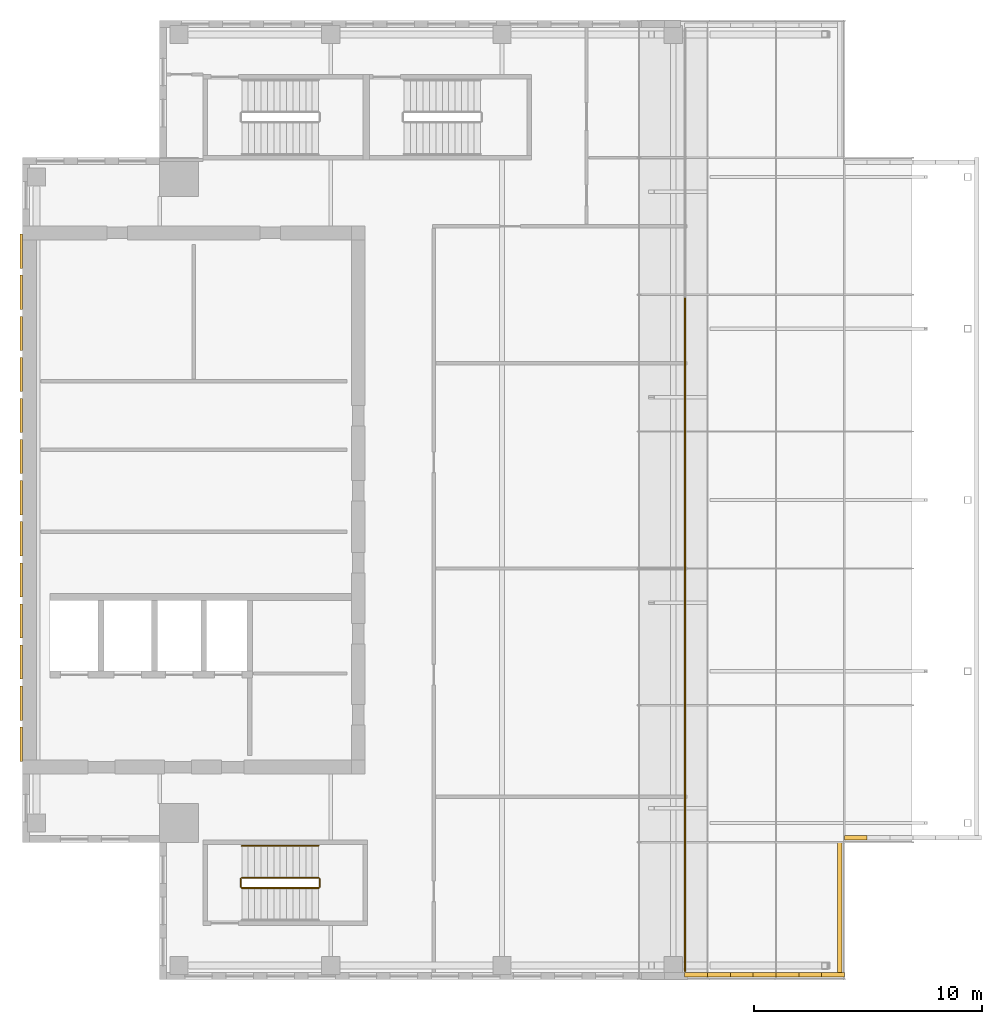
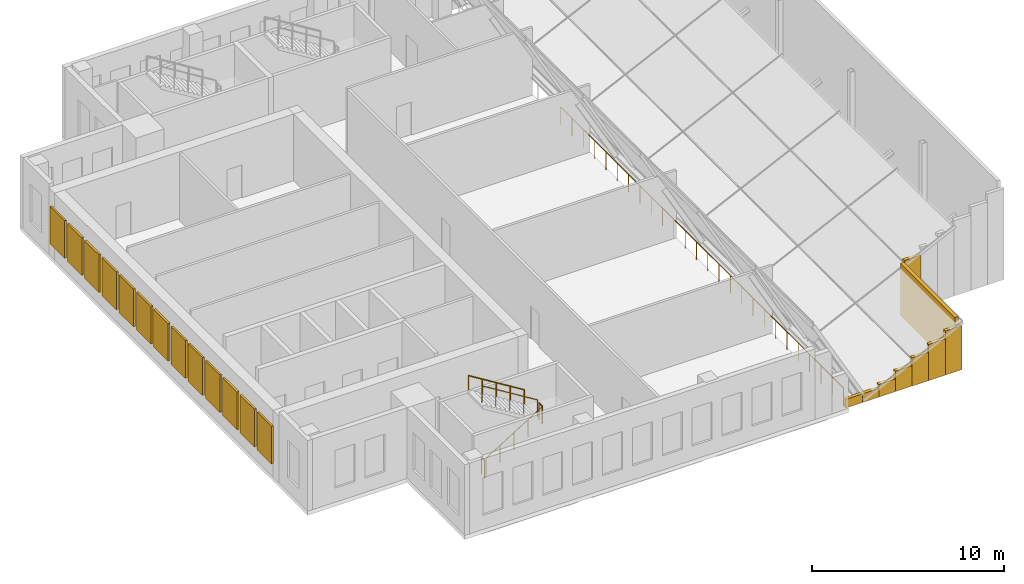
# One storey, part 10 of 11: 22 coverings, 10 railings.
"""IFC4 building model written with IfcOpenShell, lengths in metres."""

from ifc_helpers import new_model, si_unit, direction, frame, origin, origin_2d, place, context, subcontext, project, spatial, polyline, rectangle, circle, outline, extrude, source, transform, mapped, material, layer, layer_set, type_object, element, save


model = new_model("IFC4")

# Units and contexts
model_context = context("Model", 3, precision=1e-05, world=origin(), true_north=direction((0.0, 1.0)))
body_context = subcontext(model_context, "Body", "Model", "MODEL_VIEW")
ifc_project = project(units=[si_unit("LENGTHUNIT", "METRE"), si_unit("AREAUNIT", "SQUARE_METRE"), si_unit("VOLUMEUNIT", "CUBIC_METRE"), si_unit("PLANEANGLEUNIT", "RADIAN"), si_unit("MASSUNIT", "GRAM", prefix="KILO")], contexts=[model_context])

# Site, building, storey
site_placement = place(None, origin())
site = spatial("IfcSite", under=ifc_project, at=site_placement, CompositionType="ELEMENT")
building_placement = place(site_placement, origin())
building = spatial("IfcBuilding", under=site, at=building_placement, Name="Khomas Fold Tower", CompositionType="ELEMENT")
storey_placement = place(building_placement, frame((0.0, 0.0, 334.699951171875)))
storey = spatial("IfcBuildingStorey", under=building, at=storey_placement, Name="C2", CompositionType="ELEMENT", Elevation=334.699951171875)

# Coverings
ifc_material_1 = material(Name="Natural stone cladding", Category="masonry")
ifc_layer_1 = layer(ifc_material_1, 0.031982421875)
ifc_layer_set_1 = layer_set([ifc_layer_1], Name="Natural stone cladding")
covering_type_1 = type_object("IfcCoveringType", Name="Crown spandrel panel CR-SP", PredefinedType="CLADDING", material=ifc_layer_set_1)
for number, where, z_axis, x_axis, name in (
    (1, (35.0, 6.10009765625, 0.0), (0.0, -1.0, 0.0), (1.0, 0.0, 0.0), "Crown eave fascia"),
    (2, (36.0, 6.10009765625, 0.0), (0.0, -1.0, 0.0), (1.0, 0.0, 0.0), "Crown eave fascia"),
):
    element("IfcCovering", number, at=place(storey_placement, frame(where, z_axis=z_axis, x_axis=x_axis)), inside=storey, type_object=covering_type_1, Name=name, PredefinedType="CLADDING", context=body_context, shape_type="SweptSolid", body=[
        extrude(outline(polyline([(0.0, 0.0), (1.0, 0.0), (1.0, 0.550048828125), (0.0, 0.550048828125), (0.0, 0.0)])), origin(), (0.0, 0.0, -1.0), 0.199951171875),
    ])
covering_1_placement = place(storey_placement, frame((37.0, 6.10009765625, 0.0), z_axis=(0.0, -1.0, 0.0), x_axis=(1.0, 0.0, 0.0)))
element("IfcCovering", 3, at=covering_1_placement, inside=storey, type_object=covering_type_1, Name="Crown eave fascia", PredefinedType="CLADDING", context=body_context, shape_type="SweptSolid", body=[
    extrude(outline(polyline([(0.0, 0.0), (1.0, 0.0), (1.0, 0.800048828125), (0.0, 0.800048828125), (0.0, 0.0)])), origin(), (0.0, 0.0, -1.0), 0.199951171875),
])
covering_2_placement = place(storey_placement, frame((38.0, 6.10009765625, 0.0), z_axis=(0.0, -1.0, 0.0), x_axis=(1.0, 0.0, 0.0)))
element("IfcCovering", 4, at=covering_2_placement, inside=storey, type_object=covering_type_1, Name="Crown eave fascia", PredefinedType="CLADDING", context=body_context, shape_type="SweptSolid", body=[
    extrude(outline(polyline([(0.0, 0.0), (1.0, 0.0), (1.0, 1.300048828125), (0.0, 1.300048828125), (0.0, 0.0)])), origin(), (0.0, 0.0, -1.0), 0.199951171875),
])
covering_3_placement = place(storey_placement, frame((39.0, 6.10009765625, 0.0), z_axis=(0.0, -1.0, 0.0), x_axis=(1.0, 0.0, 0.0)))
element("IfcCovering", 5, at=covering_3_placement, inside=storey, type_object=covering_type_1, Name="Crown eave fascia", PredefinedType="CLADDING", context=body_context, shape_type="SweptSolid", body=[
    extrude(outline(polyline([(0.0, 0.0), (1.0, 0.0), (1.0, 1.800048828125), (0.0, 1.800048828125), (0.0, 0.0)])), origin(), (0.0, 0.0, -1.0), 0.199951171875),
])
covering_4_placement = place(storey_placement, frame((40.0, 6.10009765625, 0.0), z_axis=(0.0, -1.0, 0.0), x_axis=(1.0, 0.0, 0.0)))
element("IfcCovering", 6, at=covering_4_placement, inside=storey, type_object=covering_type_1, Name="Crown eave fascia", PredefinedType="CLADDING", context=body_context, shape_type="SweptSolid", body=[
    extrude(outline(polyline([(0.0, 0.0), (1.0, 0.0), (1.0, 2.300048828125), (0.0, 2.300048828125), (0.0, 0.0)])), origin(), (0.0, 0.0, -1.0), 0.199951171875),
])
covering_5_placement = place(storey_placement, frame((41.0, 6.10009765625, 0.0), z_axis=(0.0, -1.0, 0.0), x_axis=(1.0, 0.0, 0.0)))
element("IfcCovering", 7, at=covering_5_placement, inside=storey, type_object=covering_type_1, Name="Crown eave fascia", PredefinedType="CLADDING", context=body_context, shape_type="SweptSolid", body=[
    extrude(outline(polyline([(0.0, 0.0), (1.0, 0.0), (1.0, 2.800048828125), (0.0, 2.800048828125), (0.0, 0.0)])), origin(), (0.0, 0.0, -1.0), 0.199951171875),
])
covering_6_placement = place(storey_placement, frame((41.89990234375, 6.300048828125, 0.0), z_axis=(1.0, 0.0, 0.0), x_axis=(0.0, 1.0, 0.0)))
element("IfcCovering", 8, at=covering_6_placement, inside=storey, type_object=covering_type_1, Name="Crown eave fascia", PredefinedType="CLADDING", context=body_context, shape_type="SweptSolid", body=[
    extrude(outline(polyline([(0.0, 0.0), (5.699951171875, 0.0), (5.699951171875, 3.300048828125), (0.0, 3.300048828125), (0.0, 0.0)])), origin(), (0.0, 0.0, -1.0), 0.199951171875),
])
covering_7_placement = place(storey_placement, frame((42.0, 12.10009765625, 0.0), z_axis=(0.0, -1.0, 0.0), x_axis=(1.0, 0.0, 0.0)))
element("IfcCovering", 9, at=covering_7_placement, inside=storey, type_object=covering_type_1, Name="Crown eave fascia", PredefinedType="CLADDING", context=body_context, shape_type="SweptSolid", body=[
    extrude(outline(polyline([(0.0, 0.0), (1.0, 0.0), (1.0, 3.300048828125), (0.0, 3.300048828125), (0.0, 0.0)])), origin(), (0.0, 0.0, -1.0), 0.199951171875),
])
ifc_material_2 = material(Name="Aluminium louvre", Category="aluminium")
ifc_layer_2 = layer(ifc_material_2, 0.1201171875)
ifc_layer_set_2 = layer_set([ifc_layer_2], Name="Aluminium louvre")
covering_type_2 = type_object("IfcCoveringType", Name="Crown louvre screen CR-LS", PredefinedType="CLADDING", material=ifc_layer_set_2)
shared_shape_1 = source(origin(), body_context, "Body", "SweptSolid", [
    extrude(rectangle(XDim=1.5, YDim=0.1201171875, at=origin_2d()), origin(), (0.0, 0.0, 1.0), 2.39990234375),
])
for number, where, z_axis, x_axis, name in (
    (10, (5.93994140625, 37.900146484375, 0.900146484375), (0.0, 0.0, 1.0), (0.0, -1.0, 0.0), "Crown louvre screen"),
    (11, (5.93994140625, 36.10009765625, 0.900146484375), (0.0, 0.0, 1.0), (0.0, -1.0, 0.0), "Crown louvre screen"),
    (12, (5.93994140625, 34.300048828125, 0.900146484375), (0.0, 0.0, 1.0), (0.0, -1.0, 0.0), "Crown louvre screen"),
    (13, (5.93994140625, 32.5, 0.900146484375), (0.0, 0.0, 1.0), (0.0, -1.0, 0.0), "Crown louvre screen"),
    (14, (5.93994140625, 30.7001953125, 0.900146484375), (0.0, 0.0, 1.0), (0.0, -1.0, 0.0), "Crown louvre screen"),
    (15, (5.93994140625, 28.900146484375, 0.900146484375), (0.0, 0.0, 1.0), (0.0, -1.0, 0.0), "Crown louvre screen"),
    (16, (5.93994140625, 27.10009765625, 0.900146484375), (0.0, 0.0, 1.0), (0.0, -1.0, 0.0), "Crown louvre screen"),
    (17, (5.93994140625, 25.300048828125, 0.900146484375), (0.0, 0.0, 1.0), (0.0, -1.0, 0.0), "Crown louvre screen"),
    (18, (5.93994140625, 23.5, 0.900146484375), (0.0, 0.0, 1.0), (0.0, -1.0, 0.0), "Crown louvre screen"),
    (19, (5.93994140625, 21.7001953125, 0.900146484375), (0.0, 0.0, 1.0), (0.0, -1.0, 0.0), "Crown louvre screen"),
    (20, (5.93994140625, 19.900146484375, 0.900146484375), (0.0, 0.0, 1.0), (0.0, -1.0, 0.0), "Crown louvre screen"),
    (21, (5.93994140625, 18.10009765625, 0.900146484375), (0.0, 0.0, 1.0), (0.0, -1.0, 0.0), "Crown louvre screen"),
    (22, (5.93994140625, 16.300048828125, 0.900146484375), (0.0, 0.0, 1.0), (0.0, -1.0, 0.0), "Crown louvre screen"),
):
    element("IfcCovering", number, at=place(storey_placement, frame(where, z_axis=z_axis, x_axis=x_axis)), inside=storey, type_object=covering_type_2, Name=name, PredefinedType="CLADDING", context=body_context, shape_type="MappedRepresentation", body=[
        mapped(shared_shape_1, transform((0.0, 0.0, 0.0))),
    ])

# Railings
ifc_material_3 = material(Name="Powder-coated steel", Category="steel")
railing_type_1 = type_object("IfcRailingType", Name="Balcony guard", PredefinedType="GUARDRAIL", material=ifc_material_3)
shared_shape_2 = source(origin(), body_context, "Body", "SweptSolid", [
    extrude(circle(Radius=0.02490234375, at=origin_2d()), frame((0.0, 0.0, 1.125), z_axis=(0.0, 1.0, 0.0), x_axis=(-1.0, 0.0, 0.0)), (0.0, 0.0, 1.0), 5.89990234375),
    extrude(circle(Radius=0.02001953125, at=origin_2d()), origin(), (0.0, 0.0, 1.0), 1.099853515625),
    extrude(circle(Radius=0.02001953125, at=origin_2d()), frame((0.0, 1.179931640625, 0.0)), (0.0, 0.0, 1.0), 1.099853515625),
    extrude(circle(Radius=0.02001953125, at=origin_2d()), frame((0.0, 2.35986328125, 0.0)), (0.0, 0.0, 1.0), 1.099853515625),
    extrude(circle(Radius=0.02001953125, at=origin_2d()), frame((0.0, 3.5400390625, 0.0)), (0.0, 0.0, 1.0), 1.099853515625),
    extrude(circle(Radius=0.02001953125, at=origin_2d()), frame((0.0, 4.719970703125, 0.0)), (0.0, 0.0, 1.0), 1.099853515625),
    extrude(circle(Radius=0.02001953125, at=origin_2d()), frame((0.0, 5.89990234375, 0.0)), (0.0, 0.0, 1.0), 1.099853515625),
])
for number, where, name in (
    (23, (35.01513671875, 6.35009765625, 0.0), "GUARD 231"),
    (24, (35.01513671875, 12.25, 0.0), "GUARD 231"),
    (25, (35.01513671875, 24.050048828125, 0.0), "GUARD 231"),
):
    element("IfcRailing", number, at=place(storey_placement, frame(where)), inside=storey, type_object=railing_type_1, Name=name, PredefinedType="GUARDRAIL", context=body_context, shape_type="MappedRepresentation", body=[
        mapped(shared_shape_2, transform((0.0, 0.0, 0.0))),
    ])
shared_shape_3 = source(origin(), body_context, "Body", "SweptSolid", [
    extrude(circle(Radius=0.02490234375, at=origin_2d()), frame((0.0, 0.0, 1.125), z_axis=(0.0, 1.0, 0.0), x_axis=(-1.0, 0.0, 0.0)), (0.0, 0.0, 1.0), 5.900146484375),
    extrude(circle(Radius=0.02001953125, at=origin_2d()), origin(), (0.0, 0.0, 1.0), 1.099853515625),
    extrude(circle(Radius=0.02001953125, at=origin_2d()), frame((0.0, 1.179931640625, 0.0)), (0.0, 0.0, 1.0), 1.099853515625),
    extrude(circle(Radius=0.02001953125, at=origin_2d()), frame((0.0, 2.360107421875, 0.0)), (0.0, 0.0, 1.0), 1.099853515625),
    extrude(circle(Radius=0.02001953125, at=origin_2d()), frame((0.0, 3.5400390625, 0.0)), (0.0, 0.0, 1.0), 1.099853515625),
    extrude(circle(Radius=0.02001953125, at=origin_2d()), frame((0.0, 4.72021484375, 0.0)), (0.0, 0.0, 1.0), 1.099853515625),
    extrude(circle(Radius=0.02001953125, at=origin_2d()), frame((0.0, 5.900146484375, 0.0)), (0.0, 0.0, 1.0), 1.099853515625),
])
for number, where, name in (
    (26, (35.01513671875, 18.14990234375, 0.0), "GUARD 231"),
    (27, (35.01513671875, 29.949951171875, 0.0), "GUARD 231"),
):
    element("IfcRailing", number, at=place(storey_placement, frame(where)), inside=storey, type_object=railing_type_1, Name=name, PredefinedType="GUARDRAIL", context=body_context, shape_type="MappedRepresentation", body=[
        mapped(shared_shape_3, transform((0.0, 0.0, 0.0))),
    ])
ifc_material_4 = material(Name="Steel balustrade", Category="steel")
railing_type_2 = type_object("IfcRailingType", Name="Stair guard", PredefinedType="GUARDRAIL", material=ifc_material_4)
shared_shape_4 = source(origin(), body_context, "Body", "SweptSolid", [
    extrude(circle(Radius=0.02392578125, at=origin_2d()), frame((0.0, 0.0, 1.076171875), z_axis=(0.850606129759, 0.0, 0.525803396734), x_axis=(0.0, 1.0, 0.0)), (0.0, 0.0, 1.0), 3.949951171875),
    extrude(circle(Radius=0.02099609375, at=origin_2d()), origin(), (0.0, 0.0, 1.0), 1.052001953125),
    extrude(circle(Radius=0.02099609375, at=origin_2d()), frame((0.83984375, 0.0, 0.519287109375)), (0.0, 0.0, 1.0), 1.052001953125),
    extrude(circle(Radius=0.02099609375, at=origin_2d()), frame((1.679931640625, 0.0, 1.03857421875)), (0.0, 0.0, 1.0), 1.052001953125),
    extrude(circle(Radius=0.02099609375, at=origin_2d()), frame((2.52001953125, 0.0, 1.5576171875)), (0.0, 0.0, 1.0), 1.052001953125),
    extrude(circle(Radius=0.02099609375, at=origin_2d()), frame((3.35986328125, 0.0, 2.076904296875)), (0.0, 0.0, 1.0), 1.052001953125),
])
railing_1_placement = place(storey_placement, frame((15.60009765625, 10.0, 0.173095703125)))
element("IfcRailing", 28, at=railing_1_placement, inside=storey, type_object=railing_type_2, Name="C2 ST2 stair guard 1", PredefinedType="GUARDRAIL", context=body_context, shape_type="MappedRepresentation", body=[
    mapped(shared_shape_4, transform((0.0, 0.0, 0.0))),
])
shared_shape_5 = source(origin(), body_context, "Body", "SweptSolid", [
    extrude(circle(Radius=0.02392578125, at=origin_2d()), frame((0.0, 0.0, 1.076171875), z_axis=(0.0, 1.0, 0.0), x_axis=(-1.0, 0.0, 0.0)), (0.0, 0.0, 1.0), 0.349853515625),
    extrude(circle(Radius=0.02099609375, at=origin_2d()), origin(), (0.0, 0.0, 1.0), 1.052001953125),
    extrude(circle(Radius=0.02099609375, at=origin_2d()), frame((0.0, 0.349853515625, 0.0)), (0.0, 0.0, 1.0), 1.052001953125),
])
for number, where, name in (
    (29, (19.010009765625, 10.050048828125, 2.25), "C2 ST2 stair guard 2"),
    (30, (15.550048828125, 10.050048828125, 0.0), "C2 ST2 stair guard 4"),
):
    element("IfcRailing", number, at=place(storey_placement, frame(where)), inside=storey, type_object=railing_type_2, Name=name, PredefinedType="GUARDRAIL", context=body_context, shape_type="MappedRepresentation", body=[
        mapped(shared_shape_5, transform((0.0, 0.0, 0.0))),
    ])
shared_shape_6 = source(origin(), body_context, "Body", "SweptSolid", [
    extrude(circle(Radius=0.02392578125, at=origin_2d()), frame((0.0, 0.0, 1.076171875), z_axis=(-0.850606129759, 0.0, 0.525803396734), x_axis=(0.0, -1.0, 0.0)), (0.0, 0.0, 1.0), 3.949951171875),
    extrude(circle(Radius=0.02099609375, at=origin_2d()), origin(), (0.0, 0.0, 1.0), 1.052001953125),
    extrude(circle(Radius=0.02099609375, at=origin_2d()), frame((-0.83984375, 0.0, 0.519287109375)), (0.0, 0.0, 1.0), 1.052001953125),
    extrude(circle(Radius=0.02099609375, at=origin_2d()), frame((-1.679931640625, 0.0, 1.03857421875)), (0.0, 0.0, 1.0), 1.052001953125),
    extrude(circle(Radius=0.02099609375, at=origin_2d()), frame((-2.52001953125, 0.0, 1.5576171875)), (0.0, 0.0, 1.0), 1.052001953125),
    extrude(circle(Radius=0.02099609375, at=origin_2d()), frame((-3.35986328125, 0.0, 2.076904296875)), (0.0, 0.0, 1.0), 1.052001953125),
])
railing_2_placement = place(storey_placement, frame((18.9599609375, 10.449951171875, 2.423095703125)))
element("IfcRailing", 31, at=railing_2_placement, inside=storey, type_object=railing_type_2, Name="C2 ST2 stair guard 3", PredefinedType="GUARDRAIL", context=body_context, shape_type="MappedRepresentation", body=[
    mapped(shared_shape_6, transform((0.0, 0.0, 0.0))),
])
ifc_material_5 = material(Name="Steel handrail", Category="steel")
railing_type_3 = type_object("IfcRailingType", Name="Stair handrail", PredefinedType="HANDRAIL", material=ifc_material_5)
shared_shape_7 = source(origin(), body_context, "Body", "SweptSolid", [
    extrude(circle(Radius=0.02392578125, at=origin_2d()), frame((0.0, 0.0, 0.8759765625), z_axis=(-0.850606129759, 0.0, 0.525803396734), x_axis=(0.0, -1.0, 0.0)), (0.0, 0.0, 1.0), 3.949951171875),
    extrude(circle(Radius=0.02099609375, at=origin_2d()), origin(), (0.0, 0.0, 1.0), 0.851806640625),
    extrude(circle(Radius=0.02099609375, at=origin_2d()), frame((-0.83984375, 0.0, 0.519287109375)), (0.0, 0.0, 1.0), 0.851806640625),
    extrude(circle(Radius=0.02099609375, at=origin_2d()), frame((-1.679931640625, 0.0, 1.03857421875)), (0.0, 0.0, 1.0), 0.851806640625),
    extrude(circle(Radius=0.02099609375, at=origin_2d()), frame((-2.52001953125, 0.0, 1.5576171875)), (0.0, 0.0, 1.0), 0.851806640625),
    extrude(circle(Radius=0.02099609375, at=origin_2d()), frame((-3.35986328125, 0.0, 2.076904296875)), (0.0, 0.0, 1.0), 0.851806640625),
])
railing_3_placement = place(storey_placement, frame((18.9599609375, 11.85009765625, 2.423095703125)))
element("IfcRailing", 32, at=railing_3_placement, inside=storey, type_object=railing_type_3, Name="C2 ST2 stair handrail 2", PredefinedType="HANDRAIL", context=body_context, shape_type="MappedRepresentation", body=[
    mapped(shared_shape_7, transform((0.0, 0.0, 0.0))),
])

save(model, "model.ifc")
